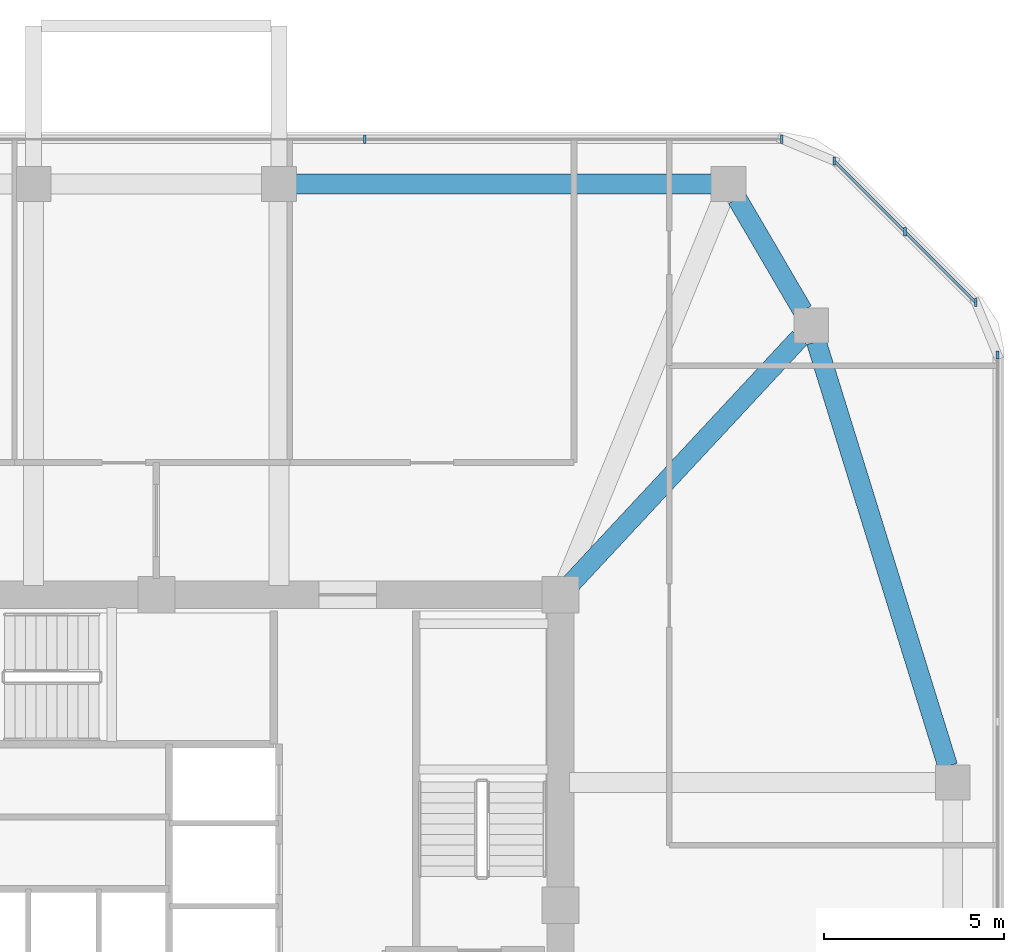
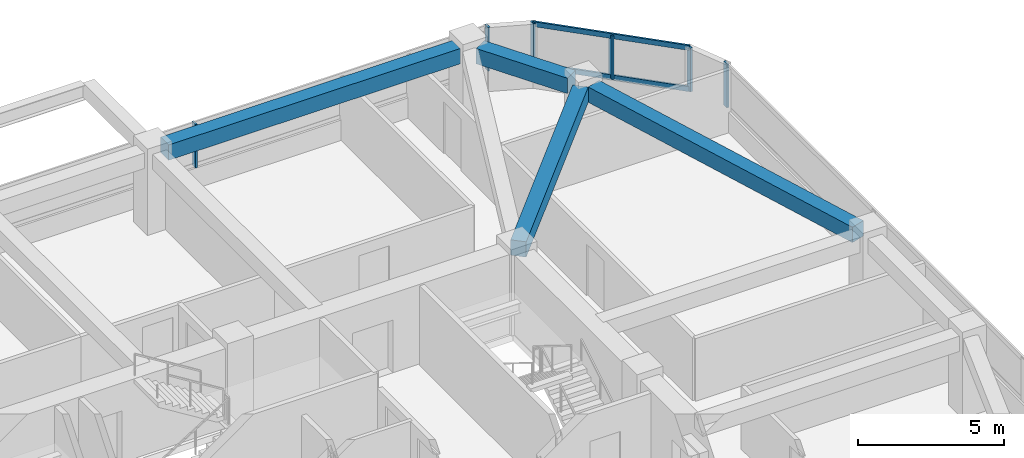
# One storey, part 5 of 12: 8 members, 4 beams, 3 elements without a shape of their own.
"""IFC4 building model written with IfcOpenShell, lengths in metres."""

from ifc_helpers import new_model, si_unit, derived_unit, direction, frame, origin, origin_2d, place, context, subcontext, project, spatial, rectangle, extrude, material, material_profile, profile_set, type_object, element, aggregate, save


model = new_model("IFC4")

# Units and contexts
model_context = context("Model", 3, precision=1e-05, world=origin(), true_north=direction((0.0, 1.0)))
body_context = subcontext(model_context, "Body", "Model", "MODEL_VIEW")
ifc_project = project(units=[si_unit("LENGTHUNIT", "METRE"), si_unit("AREAUNIT", "SQUARE_METRE"), si_unit("VOLUMEUNIT", "CUBIC_METRE"), si_unit("PLANEANGLEUNIT", "RADIAN"), si_unit("MASSUNIT", "GRAM", prefix="KILO"), derived_unit("THERMALTRANSMITTANCEUNIT", [(si_unit("POWERUNIT", "WATT"), 1), (si_unit("LENGTHUNIT", "METRE"), -2), (si_unit("THERMODYNAMICTEMPERATUREUNIT", "KELVIN"), -1)])], contexts=[model_context])

# Site, building, storey
site_placement = place(None, origin())
site = spatial("IfcSite", under=ifc_project, at=site_placement, CompositionType="ELEMENT")
building_placement = place(site_placement, origin())
building = spatial("IfcBuilding", under=site, at=building_placement, Name="Koralith Skygarden Medical Center", CompositionType="ELEMENT")
storey_placement = place(building_placement, frame((0.0, 0.0, 163.6201171875)))
storey = spatial("IfcBuildingStorey", under=building, at=storey_placement, Name="L42", CompositionType="ELEMENT", Elevation=163.6201171875)

# Curtain wall, member
ifc_material_1 = material(Name="Clear Laminated Glass", Category="glass")
curtain_wall_type = type_object("IfcCurtainWallType", Name="CW-4 Zone 3 Waist High-Wind Curtain Wall", PredefinedType="NOTDEFINED", material=ifc_material_1)
curtain_wall_1_placement = place(storey_placement, origin())
curtain_wall_1 = element("IfcCurtainWall", 1, at=curtain_wall_1_placement, inside=storey, type_object=curtain_wall_type, Name="Curtain Wall CW-L42-E", PredefinedType="NOTDEFINED")
ifc_material_2 = material(Name="Aluminium 6063-T6", Category="aluminium")
ifc_material_profile_1 = material_profile(ifc_material_2, rectangle(XDim=0.076904296875, YDim=0.22998046875, at=origin_2d()), Name="MUL77X230")
ifc_profile_set_1 = profile_set([ifc_material_profile_1], Name="Aluminium 6063-T6")
member_type_1 = type_object("IfcMemberType", Name="CW-4 Extruded Mullion 77x230", PredefinedType="MULLION", material=ifc_profile_set_1)
member_1_placement = place(storey_placement, frame((60.303955078125, 41.14501953125, 0.849853515625), z_axis=(0.0, 0.0, 1.0), x_axis=(1.0, 0.0, 0.0)))
member_1 = element("IfcMember", 2, at=member_1_placement, type_object=member_type_1, Name="CW-L42-E Mullion 4", PredefinedType="MULLION", context=body_context, shape_type="SweptSolid", body=[
    extrude(rectangle(XDim=0.076904296875, YDim=0.22998046875, at=origin_2d()), origin(), (0.0, 0.0, 1.0), 1.820068359375),
])
aggregate(curtain_wall_1, [member_1])

# Curtain wall, members
curtain_wall_2_placement = place(storey_placement, origin())
curtain_wall_2 = element("IfcCurtainWall", 3, at=curtain_wall_2_placement, inside=storey, type_object=curtain_wall_type, Name="Curtain Wall CW-L42-NE", PredefinedType="NOTDEFINED")
member_2_placement = place(storey_placement, frame((59.702880859375, 42.595947265625, 0.849853515625), z_axis=(0.0, 0.0, 1.0), x_axis=(1.0, 0.0, 0.0)))
member_2 = element("IfcMember", 4, at=member_2_placement, type_object=member_type_1, Name="CW-L42-NE Mullion 1", PredefinedType="MULLION", context=body_context, shape_type="SweptSolid", body=[
    extrude(rectangle(XDim=0.076904296875, YDim=0.22998046875, at=origin_2d()), origin(), (0.0, 0.0, 1.0), 1.820068359375),
])
member_3_placement = place(storey_placement, frame((57.741943359375, 44.556884765625, 0.849853515625), z_axis=(0.0, 0.0, 1.0), x_axis=(1.0, 0.0, 0.0)))
member_3 = element("IfcMember", 5, at=member_3_placement, type_object=member_type_1, Name="CW-L42-NE Mullion 2", PredefinedType="MULLION", context=body_context, shape_type="SweptSolid", body=[
    extrude(rectangle(XDim=0.076904296875, YDim=0.22998046875, at=origin_2d()), origin(), (0.0, 0.0, 1.0), 1.820068359375),
])
member_4_placement = place(storey_placement, frame((55.780029296875, 46.51904296875, 0.849853515625), z_axis=(0.0, 0.0, 1.0), x_axis=(1.0, 0.0, 0.0)))
member_4 = element("IfcMember", 6, at=member_4_placement, type_object=member_type_1, Name="CW-L42-NE Mullion 3", PredefinedType="MULLION", context=body_context, shape_type="SweptSolid", body=[
    extrude(rectangle(XDim=0.076904296875, YDim=0.22998046875, at=origin_2d()), origin(), (0.0, 0.0, 1.0), 1.820068359375),
])

curtain_wall_3_placement = place(storey_placement, origin())
curtain_wall_3 = element("IfcCurtainWall", 7, at=curtain_wall_3_placement, inside=storey, type_object=curtain_wall_type, Name="Curtain Wall CW-L42-N", PredefinedType="NOTDEFINED")
member_5_placement = place(storey_placement, frame((54.3291015625, 47.1201171875, 0.849853515625), z_axis=(0.0, 0.0, 1.0), x_axis=(1.0, 0.0, 0.0)))
member_5 = element("IfcMember", 8, at=member_5_placement, type_object=member_type_1, Name="CW-L42-N Mullion 1", PredefinedType="MULLION", context=body_context, shape_type="SweptSolid", body=[
    extrude(rectangle(XDim=0.076904296875, YDim=0.22998046875, at=origin_2d()), origin(), (0.0, 0.0, 1.0), 1.820068359375),
])
member_6_placement = place(storey_placement, frame((42.77587890625, 47.1201171875, 0.849853515625), z_axis=(0.0, 0.0, 1.0), x_axis=(1.0, 0.0, 0.0)))
member_6 = element("IfcMember", 9, at=member_6_placement, type_object=member_type_1, Name="CW-L42-N Mullion 2", PredefinedType="MULLION", context=body_context, shape_type="SweptSolid", body=[
    extrude(rectangle(XDim=0.076904296875, YDim=0.22998046875, at=origin_2d()), origin(), (0.0, 0.0, 1.0), 1.820068359375),
])
aggregate(curtain_wall_3, [member_5, member_6])

# Member
ifc_material_profile_2 = material_profile(ifc_material_2, rectangle(XDim=0.072021484375, YDim=0.20703125, at=origin_2d()), Name="TRN72X207")
ifc_profile_set_2 = profile_set([ifc_material_profile_2], Name="Aluminium 6063-T6")
member_type_2 = type_object("IfcMemberType", Name="CW-4 Thermal Transom 72x207", PredefinedType="USERDEFINED", material=ifc_profile_set_2)
member_7_placement = place(storey_placement, frame((59.702880859375, 42.595947265625, 0.89990234375), z_axis=(-0.707084777957, 0.707128783731, 0.0), x_axis=(-0.707128783731, -0.707084777957, 0.0)))
member_7 = element("IfcMember", 10, at=member_7_placement, type_object=member_type_2, Name="CW-L42-NE Transom 1", ObjectType="TRANSOM", PredefinedType="USERDEFINED", context=body_context, shape_type="SweptSolid", body=[
    extrude(rectangle(XDim=0.072021484375, YDim=0.20703125, at=origin_2d()), origin(), (0.0, 0.0, 1.0), 5.5478515625),
])

member_8_placement = place(storey_placement, frame((59.702880859375, 42.595947265625, 2.619873046875), z_axis=(-0.707084777957, 0.707128783731, 0.0), x_axis=(-0.707128783731, -0.707084777957, 0.0)))
member_8 = element("IfcMember", 11, at=member_8_placement, type_object=member_type_2, Name="CW-L42-NE Transom 2", ObjectType="TRANSOM", PredefinedType="USERDEFINED", context=body_context, shape_type="SweptSolid", body=[
    extrude(rectangle(XDim=0.072021484375, YDim=0.20703125, at=origin_2d()), origin(), (0.0, 0.0, 1.0), 5.5478515625),
])

aggregate(curtain_wall_2, [member_2, member_3, member_4, member_7, member_8])

# Beams
ifc_material_3 = material(Name="Concrete C45/55", Category="concrete")
ifc_material_profile_3 = material_profile(ifc_material_3, rectangle(XDim=0.550048828125, YDim=0.639892578125, at=origin_2d()), Name="RCB550X640")
ifc_profile_set_3 = profile_set([ifc_material_profile_3], Name="Concrete C45/55")
beam_type_1 = type_object("IfcBeamType", Name="Radial Collector Beam RCB550X640", PredefinedType="BEAM", material=ifc_profile_set_3)
beam_1_placement = place(storey_placement, frame((48.3701171875, 34.68310546875, 3.0), z_axis=(0.681369011591, 0.731940072713, 0.0), x_axis=(-0.731940072713, 0.681369011591, 0.0)))
element("IfcBeam", 12, at=beam_1_placement, inside=storey, type_object=beam_type_1, Name="L42 Radial Collector Beam RB-10", PredefinedType="BEAM", context=body_context, shape_type="SweptSolid", body=[
    extrude(rectangle(XDim=0.550048828125, YDim=0.639892578125, at=origin_2d()), origin(), (0.0, 0.0, 1.0), 9.471923828125),
])
ifc_material_profile_4 = material_profile(ifc_material_3, rectangle(XDim=0.550048828125, YDim=0.639892578125, at=origin_2d()), Name="RCB550X640")
ifc_profile_set_4 = profile_set([ifc_material_profile_4], Name="Concrete C45/55")
beam_type_2 = type_object("IfcBeamType", Name="Zone 2-3 Spandrel Beam RCB550X640", PredefinedType="SPANDREL", material=ifc_profile_set_4)
beam_2_placement = place(storey_placement, frame((58.925048828125, 29.7490234375, 3.0), z_axis=(-0.295793585147, 0.955251880389, 0.0), x_axis=(-0.955251880389, -0.295793585147, 0.0)))
element("IfcBeam", 13, at=beam_2_placement, inside=storey, type_object=beam_type_2, Name="L42 Perimeter Spandrel Beam SP-09", PredefinedType="SPANDREL", context=body_context, shape_type="SweptSolid", body=[
    extrude(rectangle(XDim=0.550048828125, YDim=0.639892578125, at=origin_2d()), origin(), (0.0, 0.0, 1.0), 12.31298828125),
])
beam_3_placement = place(storey_placement, frame((54.906982421875, 42.365966796875, 3.0), z_axis=(-0.504861391295, 0.863200426077, 0.0), x_axis=(-0.863200426077, -0.504861391295, 0.0)))
element("IfcBeam", 14, at=beam_3_placement, inside=storey, type_object=beam_type_2, Name="L42 Perimeter Spandrel Beam SP-10", PredefinedType="SPANDREL", context=body_context, shape_type="SweptSolid", body=[
    extrude(rectangle(XDim=0.550048828125, YDim=0.639892578125, at=origin_2d()), origin(), (0.0, 0.0, 1.0), 3.600830078125),
])
beam_4_placement = place(storey_placement, frame((52.382080078125, 45.8798828125, 3.0), z_axis=(-1.0, 0.0, 0.0), x_axis=(0.0, -1.0, 0.0)))
element("IfcBeam", 15, at=beam_4_placement, inside=storey, type_object=beam_type_2, Name="L42 Perimeter Spandrel Beam SP-11", PredefinedType="SPANDREL", context=body_context, shape_type="SweptSolid", body=[
    extrude(rectangle(XDim=0.550048828125, YDim=0.639892578125, at=origin_2d()), origin(), (0.0, 0.0, 1.0), 11.511962890625),
])

save(model, "model.ifc")
